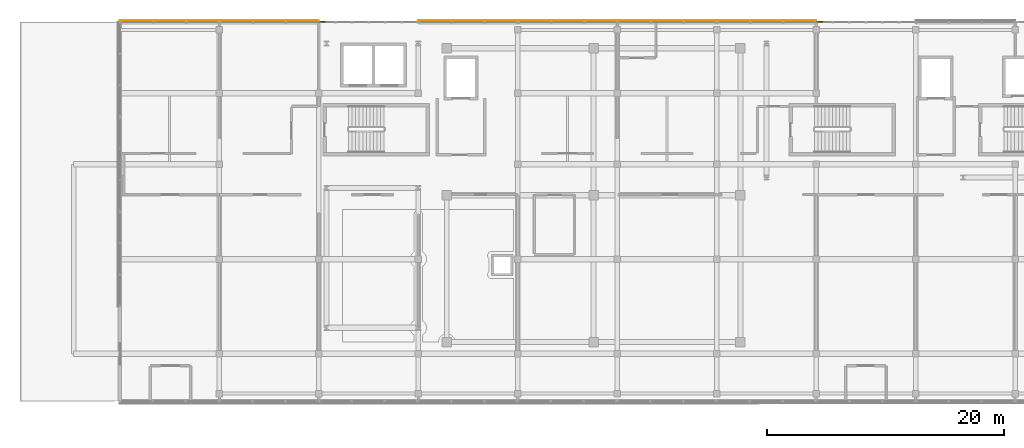
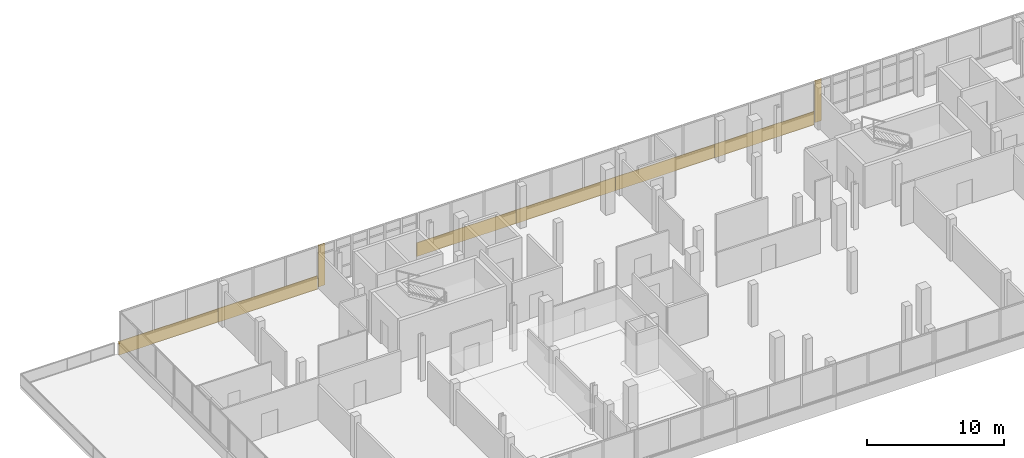
# One storey, part 63 of 67: 8 coverings.
"""IFC4 building model written with IfcOpenShell, lengths in metres."""

from ifc_helpers import new_model, si_unit, direction, frame, origin, origin_2d, place, context, subcontext, project, spatial, rectangle, extrude, material, layer, layer_set, type_object, element, save


model = new_model("IFC4")

# Units and contexts
model_context = context("Model", 3, precision=1e-05, world=origin(), true_north=direction((0.0, 1.0)))
body_context = subcontext(model_context, "Body", "Model", "MODEL_VIEW")
ifc_project = project(units=[si_unit("LENGTHUNIT", "METRE"), si_unit("AREAUNIT", "SQUARE_METRE"), si_unit("VOLUMEUNIT", "CUBIC_METRE"), si_unit("PLANEANGLEUNIT", "RADIAN"), si_unit("MASSUNIT", "GRAM", prefix="KILO")], contexts=[model_context])

# Site, building, storey
site_placement = place(None, origin())
site = spatial("IfcSite", under=ifc_project, at=site_placement, CompositionType="ELEMENT")
building_placement = place(site_placement, origin())
building = spatial("IfcBuilding", under=site, at=building_placement, Name="Selatvlak General Hospital", CompositionType="ELEMENT")
storey_placement = place(building_placement, frame((0.0, 0.0, 35.39990234375)))
storey = spatial("IfcBuildingStorey", under=building, at=storey_placement, Name="L08", CompositionType="ELEMENT", Elevation=35.39990234375)

# Coverings
ifc_material = material(Name="White Bauhaus fair-faced cladding panel")
ifc_layer = layer(ifc_material, 0.054931640625, Name="White Bauhaus fair-faced cladding panel")
ifc_layer_set = layer_set([ifc_layer], Name="White Bauhaus fair-faced cladding panel")
covering_type = type_object("IfcCoveringType", Name="COV-WHT1", PredefinedType="CLADDING", material=ifc_layer_set)
for number, where, z_axis, x_axis, name in (
    (1, (35.39990234375, 120.1640625, -0.27978515625), (0.0, 0.0, 1.0), (1.0, 0.0, 0.0), "L08 Bauhaus horizontal white spandrel band 0537"),
    (2, (43.800048828125, 120.1640625, -0.27978515625), (0.0, 0.0, 1.0), (1.0, 0.0, 0.0), "L08 Bauhaus horizontal white spandrel band 0538"),
):
    element("IfcCovering", number, at=place(storey_placement, frame(where, z_axis=z_axis, x_axis=x_axis)), inside=storey, type_object=covering_type, Name=name, PredefinedType="CLADDING", context=body_context, shape_type="SweptSolid", body=[
        extrude(rectangle(XDim=8.39990234375, YDim=0.054931640625, at=origin_2d()), origin(), (0.0, 0.0, 1.0), 1.219970703125),
    ])
covering_1_placement = place(storey_placement, frame((48.27490234375, 120.0439453125, 0.0), z_axis=(0.0, 0.0, 1.0), x_axis=(1.0, 0.0, 0.0)))
element("IfcCovering", 3, at=covering_1_placement, inside=storey, type_object=covering_type, Name="L08 Bauhaus vertical core pilaster 0539", PredefinedType="CLADDING", context=body_context, shape_type="SweptSolid", body=[
    extrude(rectangle(XDim=0.550048828125, YDim=0.054931640625, at=origin_2d()), origin(), (0.0, 0.0, 1.0), 3.739990234375),
])
for number, where, z_axis, x_axis, name in (
    (4, (60.60009765625, 120.1640625, -0.27978515625), (0.0, 0.0, 1.0), (1.0, 0.0, 0.0), "L08 Bauhaus horizontal white spandrel band 0540"),
    (5, (69.0, 120.1640625, -0.27978515625), (0.0, 0.0, 1.0), (1.0, 0.0, 0.0), "L08 Bauhaus horizontal white spandrel band 0541"),
    (6, (77.39990234375, 120.1640625, -0.27978515625), (0.0, 0.0, 1.0), (1.0, 0.0, 0.0), "L08 Bauhaus horizontal white spandrel band 0542"),
    (7, (85.800048828125, 120.1640625, -0.27978515625), (0.0, 0.0, 1.0), (1.0, 0.0, 0.0), "L08 Bauhaus horizontal white spandrel band 0543"),
):
    element("IfcCovering", number, at=place(storey_placement, frame(where, z_axis=z_axis, x_axis=x_axis)), inside=storey, type_object=covering_type, Name=name, PredefinedType="CLADDING", context=body_context, shape_type="SweptSolid", body=[
        extrude(rectangle(XDim=8.39990234375, YDim=0.054931640625, at=origin_2d()), origin(), (0.0, 0.0, 1.0), 1.219970703125),
    ])
covering_2_placement = place(storey_placement, frame((90.27490234375, 120.0439453125, 0.0), z_axis=(0.0, 0.0, 1.0), x_axis=(1.0, 0.0, 0.0)))
element("IfcCovering", 8, at=covering_2_placement, inside=storey, type_object=covering_type, Name="L08 Bauhaus vertical core pilaster 0544", PredefinedType="CLADDING", context=body_context, shape_type="SweptSolid", body=[
    extrude(rectangle(XDim=0.550048828125, YDim=0.054931640625, at=origin_2d()), origin(), (0.0, 0.0, 1.0), 3.739990234375),
])

save(model, "model.ifc")
